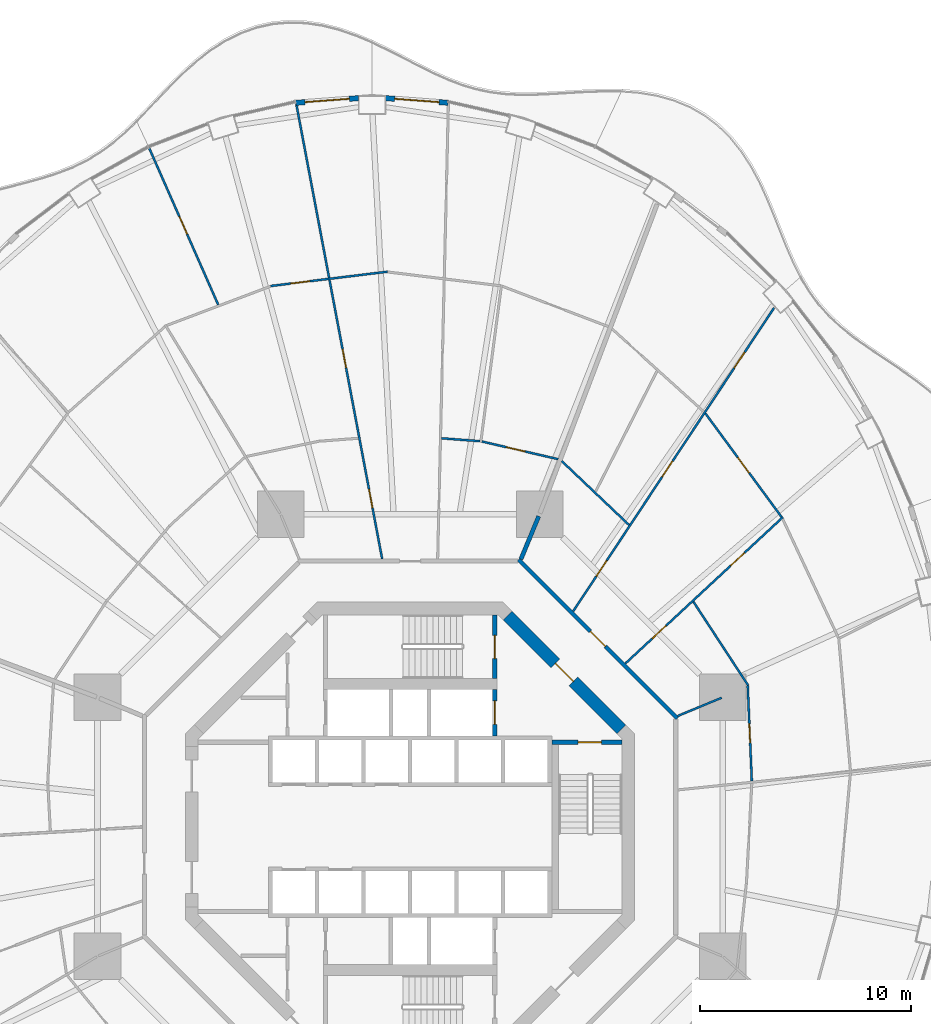
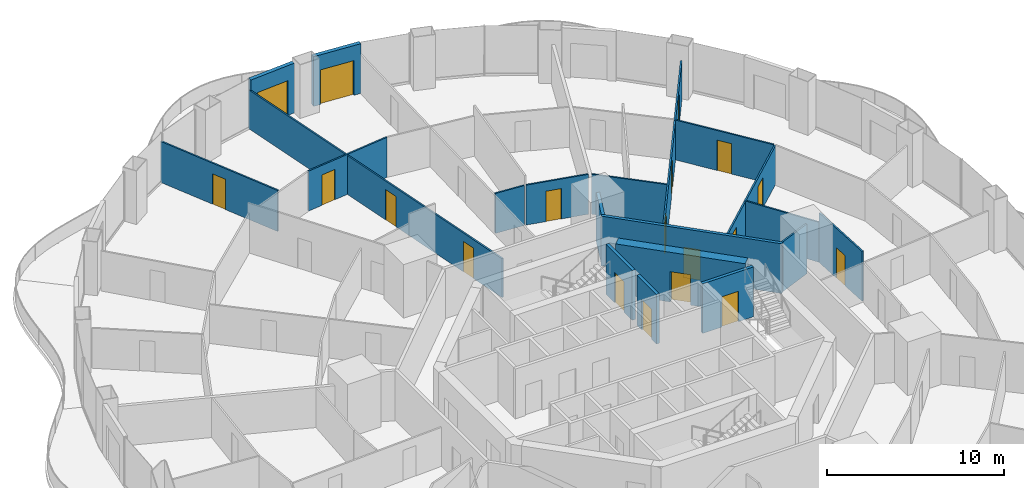
# One storey, part 18 of 22: 20 walls, 19 doors, 19 openings.
"""IFC4 building model written with IfcOpenShell, lengths in metres."""

from ifc_helpers import new_model, si_unit, direction, frame, frame_2d, origin, place, context, subcontext, project, spatial, rectangle, extrude, material, layer, layer_set, type_object, element, fill, save


model = new_model("IFC4")

# Units and contexts
model_context = context("Model", 3, precision=1e-05, world=origin(), true_north=direction((0.0, 1.0)))
body_context = subcontext(model_context, "Body", "Model", "MODEL_VIEW")
ifc_project = project(units=[si_unit("LENGTHUNIT", "METRE"), si_unit("AREAUNIT", "SQUARE_METRE"), si_unit("VOLUMEUNIT", "CUBIC_METRE"), si_unit("PLANEANGLEUNIT", "RADIAN"), si_unit("MASSUNIT", "GRAM", prefix="KILO")], contexts=[model_context])

# Site, building, storey
site_placement = place(None, origin())
site = spatial("IfcSite", under=ifc_project, at=site_placement, CompositionType="ELEMENT")
building_placement = place(site_placement, origin())
building = spatial("IfcBuilding", under=site, at=building_placement, Name="Nagisa Residences", CompositionType="ELEMENT")
storey_placement = place(building_placement, frame((0.0, 0.0, 106.60009765625)))
storey = spatial("IfcBuildingStorey", under=building, at=storey_placement, Name="L26", CompositionType="ELEMENT", Elevation=106.60009765625)

# Wall
ifc_material_1 = material(Name="Gypsum board on steel studs", Category="steel")
ifc_layer_1 = layer(ifc_material_1, 0.199951171875)
ifc_layer_set_1 = layer_set([ifc_layer_1], Name="Apartment compartment wall EI60 200")
wall_type_1 = type_object("IfcWallType", Name="Apartment compartment wall EI60 200", PredefinedType="PARTITIONING", material=ifc_layer_set_1)
wall_1_placement = place(storey_placement, frame((5.24267578125, 12.6572265625, 0.0), z_axis=(0.0, 0.0, 1.0), x_axis=(0.382724096228, 0.923862687939, 0.0)))
element("IfcWall", 1, at=wall_1_placement, inside=storey, type_object=wall_type_1, Name="wall:L26:u00", PredefinedType="PARTITIONING", context=body_context, shape_type="SweptSolid", body=[
    extrude(rectangle(XDim=2.20068359375, YDim=0.199951171875, at=frame_2d((1.100341796875, 0.0))), origin(), (0.0, 0.0, 1.0), 3.43994140625),
])

# Wall, opening, door
ifc_material_2 = material(Name="Gypsum board on steel studs", Category="steel")
ifc_layer_2 = layer(ifc_material_2, 0.199951171875)
ifc_layer_set_2 = layer_set([ifc_layer_2], Name="Apartment entry wall EI60 200")
wall_type_2 = type_object("IfcWallType", Name="Apartment entry wall EI60 200", PredefinedType="PARTITIONING", material=ifc_layer_set_2)
wall_2_placement = place(storey_placement, frame((12.635498046875, 5.1337890625, 0.0), z_axis=(0.0, 0.0, 1.0), x_axis=(-0.707106781187, 0.707106781187, 0.0)))
wall_2 = element("IfcWall", 2, at=wall_2_placement, inside=storey, type_object=wall_type_2, Name="wall:L26:u09", PredefinedType="PARTITIONING", context=body_context, shape_type="SweptSolid", body=[
    extrude(rectangle(XDim=10.609130859375, YDim=0.199951171875, at=frame_2d((5.3046875, 0.0))), origin(), (0.0, 0.0, 1.0), 3.43994140625),
])
opening_1_placement = place(wall_2_placement, frame((4.804443359375, 0.0, 0.0)))
opening_1 = element("IfcOpeningElement", 3, at=opening_1_placement, cuts=wall_2, Name="Opening L26-U08", PredefinedType="OPENING", context=body_context, shape_type="SweptSolid", body=[
    extrude(rectangle(XDim=1.0, YDim=2.10009765625, at=frame_2d((0.5, 1.050048828125))), frame((0.0, 0.10986328125, 0.0), z_axis=(0.0, -1.0, 0.0), x_axis=(1.0, 0.0, 0.0)), (0.0, 0.0, 1.0), 0.219970703125),
])
ifc_material_3 = material(Name="Timber fire door set", Category="wood")
door_type_1 = type_object("IfcDoorType", Name="Apartment entry door FD30S 1000x2100", OperationType="NOTDEFINED", PredefinedType="DOOR", material=ifc_material_3)
door_1_placement = place(opening_1_placement, frame((1.0, 0.0, 0.0), x_axis=(-1.0, 0.0, 0.0)))
door_1 = element("IfcDoor", 4, at=door_1_placement, inside=storey, type_object=door_type_1, Name="Entry door, Apartment 26B", OperationType="SINGLE_SWING_LEFT", OverallHeight=2.10009765625, OverallWidth=1.0, PredefinedType="DOOR", context=body_context, shape_type="SweptSolid", body=[
    extrude(rectangle(XDim=1.0, YDim=2.10009765625, at=frame_2d((0.5, 1.050048828125))), frame((0.0, 0.02490234375, 0.0), z_axis=(0.0, -1.0, 0.0), x_axis=(1.0, 0.0, 0.0)), (0.0, 0.0, 1.0), 0.050048828125),
])
fill(opening_1, door_1)

ifc_material_4 = material(Name="Gypsum board on steel studs", Category="steel")
ifc_layer_3 = layer(ifc_material_4, 0.10009765625)
ifc_layer_set_3 = layer_set([ifc_layer_3], Name="Apartment partition 100")
wall_type_3 = type_object("IfcWallType", Name="Apartment partition 100", PredefinedType="PARTITIONING", material=ifc_layer_set_3)
wall_3_placement = place(storey_placement, frame((16.161865234375, 2.158203125, 0.0), z_axis=(0.0, 0.0, 1.0), x_axis=(-0.043120653248, 0.999069872063, 0.0)))
wall_3 = element("IfcWall", 5, at=wall_3_placement, inside=storey, type_object=wall_type_3, Name="wall:L26:u17", PredefinedType="PARTITIONING", context=body_context, shape_type="SweptSolid", body=[
    extrude(rectangle(XDim=4.51806640625, YDim=0.10009765625, at=frame_2d((2.259033203125, 0.0))), origin(), (0.0, 0.0, 1.0), 3.43994140625),
])
opening_2_placement = place(wall_3_placement, frame((1.80908203125, 0.0, 0.0)))
opening_2 = element("IfcOpeningElement", 6, at=opening_2_placement, cuts=wall_3, Name="Opening L26-U16", PredefinedType="OPENING", context=body_context, shape_type="SweptSolid", body=[
    extrude(rectangle(XDim=0.89990234375, YDim=2.10009765625, at=frame_2d((0.449951171875, 1.050048828125))), frame((0.0, 0.06005859375, 0.0), z_axis=(0.0, -1.0, 0.0), x_axis=(1.0, 0.0, 0.0)), (0.0, 0.0, 1.0), 0.1201171875),
])
ifc_material_5 = material(Name="Timber door set", Category="wood")
door_type_2 = type_object("IfcDoorType", Name="Apartment door 900x2100", OperationType="NOTDEFINED", PredefinedType="DOOR", material=ifc_material_5)
door_2_placement = place(opening_2_placement, origin())
door_2 = element("IfcDoor", 7, at=door_2_placement, inside=storey, type_object=door_type_2, Name="Door to store, Apartment 26B", OperationType="SINGLE_SWING_RIGHT", OverallHeight=2.10009765625, OverallWidth=0.89990234375, PredefinedType="DOOR", context=body_context, shape_type="SweptSolid", body=[
    extrude(rectangle(XDim=0.89990234375, YDim=2.10009765625, at=frame_2d((0.449951171875, 1.050048828125))), frame((0.0, 0.02490234375, 0.0), z_axis=(0.0, -1.0, 0.0), x_axis=(1.0, 0.0, 0.0)), (0.0, 0.0, 1.0), 0.050048828125),
])
fill(opening_2, door_2)

# Walls
wall_4_placement = place(storey_placement, frame((12.6572265625, 5.24267578125, 0.0), z_axis=(0.0, 0.0, 1.0), x_axis=(0.923864733477, 0.382719158442, 0.0)))
element("IfcWall", 8, at=wall_4_placement, inside=storey, type_object=wall_type_3, Name="wall:L26:u21", PredefinedType="PARTITIONING", context=body_context, shape_type="SweptSolid", body=[
    extrude(rectangle(XDim=2.25, YDim=0.10009765625, at=frame_2d((1.125, 0.0))), origin(), (0.0, 0.0, 1.0), 3.43994140625),
])
wall_5_placement = place(storey_placement, frame((15.9921875, 6.68017578125, 0.0), z_axis=(0.0, 0.0, 1.0), x_axis=(-0.547472878942, 0.836823426311, 0.0)))
element("IfcWall", 9, at=wall_5_placement, inside=storey, type_object=wall_type_3, Name="wall:L26:u22", PredefinedType="PARTITIONING", context=body_context, shape_type="SweptSolid", body=[
    extrude(rectangle(XDim=4.73779296875, YDim=0.10009765625, at=frame_2d((2.368896484375, 0.0))), origin(), (0.0, 0.0, 1.0), 2.761962890625),
])

# Wall, openings, doors
wall_6_placement = place(storey_placement, frame((10.1845703125, 7.72607421875, 0.0), z_axis=(0.0, 0.0, 1.0), x_axis=(0.732598472978, 0.680661059112, 0.0)))
wall_6 = element("IfcWall", 10, at=wall_6_placement, inside=storey, type_object=wall_type_3, Name="wall:L26:u25", PredefinedType="PARTITIONING", context=body_context, shape_type="SweptSolid", body=[
    extrude(rectangle(XDim=10.16748046875, YDim=0.10009765625, at=frame_2d((5.083740234375, 0.0))), origin(), (0.0, 0.0, 1.0), 2.68701171875),
])
opening_3_placement = place(wall_6_placement, frame((1.724853515625, 0.0, 0.0)))
opening_3 = element("IfcOpeningElement", 11, at=opening_3_placement, cuts=wall_6, Name="Opening L26-U09", PredefinedType="OPENING", context=body_context, shape_type="SweptSolid", body=[
    extrude(rectangle(XDim=0.89990234375, YDim=2.10009765625, at=frame_2d((0.449951171875, 1.050048828125))), frame((0.0, 0.06005859375, 0.0), z_axis=(0.0, -1.0, 0.0), x_axis=(1.0, 0.0, 0.0)), (0.0, 0.0, 1.0), 0.1201171875),
])
opening_4_placement = place(wall_6_placement, frame((6.78369140625, 0.0, 0.0)))
opening_4 = element("IfcOpeningElement", 12, at=opening_4_placement, cuts=wall_6, Name="Opening L26-U11", PredefinedType="OPENING", context=body_context, shape_type="SweptSolid", body=[
    extrude(rectangle(XDim=0.89990234375, YDim=2.10009765625, at=frame_2d((0.449951171875, 1.050048828125))), frame((0.0, 0.06005859375, 0.0), z_axis=(0.0, -1.0, 0.0), x_axis=(1.0, 0.0, 0.0)), (0.0, 0.0, 1.0), 0.1201171875),
])
door_3_placement = place(opening_3_placement, frame((0.89990234375, 0.0, 0.0), x_axis=(-1.0, 0.0, 0.0)))
door_3 = element("IfcDoor", 13, at=door_3_placement, inside=storey, type_object=door_type_2, Name="Door to store, Apartment 26B", OperationType="SINGLE_SWING_RIGHT", OverallHeight=2.10009765625, OverallWidth=0.89990234375, PredefinedType="DOOR", context=body_context, shape_type="SweptSolid", body=[
    extrude(rectangle(XDim=0.89990234375, YDim=2.10009765625, at=frame_2d((0.449951171875, 1.050048828125))), frame((0.0, 0.02490234375, 0.0), z_axis=(0.0, -1.0, 0.0), x_axis=(1.0, 0.0, 0.0)), (0.0, 0.0, 1.0), 0.050048828125),
])
fill(opening_3, door_3)
door_4_placement = place(opening_4_placement, frame((0.89990234375, 0.0, 0.0), x_axis=(-1.0, 0.0, 0.0)))
door_4 = element("IfcDoor", 14, at=door_4_placement, inside=storey, type_object=door_type_2, Name="Door to dining room, Apartment 26B", OperationType="SINGLE_SWING_RIGHT", OverallHeight=2.10009765625, OverallWidth=0.89990234375, PredefinedType="DOOR", context=body_context, shape_type="SweptSolid", body=[
    extrude(rectangle(XDim=0.89990234375, YDim=2.10009765625, at=frame_2d((0.449951171875, 1.050048828125))), frame((0.0, 0.02490234375, 0.0), z_axis=(0.0, -1.0, 0.0), x_axis=(1.0, 0.0, 0.0)), (0.0, 0.0, 1.0), 0.050048828125),
])
fill(opening_4, door_4)

# Wall, opening, door
wall_7_placement = place(storey_placement, frame((17.567138671875, 14.65283203125, 0.0), z_axis=(0.0, 0.0, 1.0), x_axis=(-0.592391983588, 0.80564988536, 0.0)))
wall_7 = element("IfcWall", 15, at=wall_7_placement, inside=storey, type_object=wall_type_3, Name="wall:L26:u26", PredefinedType="PARTITIONING", context=body_context, shape_type="SweptSolid", body=[
    extrude(rectangle(XDim=6.080078125, YDim=0.10009765625, at=frame_2d((3.0400390625, 0.0))), origin(), (0.0, 0.0, 1.0), 2.761962890625),
])
opening_5_placement = place(wall_7_placement, frame((2.590087890625, 0.0, 0.0)))
opening_5 = element("IfcOpeningElement", 16, at=opening_5_placement, cuts=wall_7, Name="Opening L26-U14", PredefinedType="OPENING", context=body_context, shape_type="SweptSolid", body=[
    extrude(rectangle(XDim=0.89990234375, YDim=2.10009765625, at=frame_2d((0.449951171875, 1.050048828125))), frame((0.0, 0.06005859375, 0.0), z_axis=(0.0, -1.0, 0.0), x_axis=(1.0, 0.0, 0.0)), (0.0, 0.0, 1.0), 0.1201171875),
])
door_5_placement = place(opening_5_placement, frame((0.89990234375, 0.0, 0.0), x_axis=(-1.0, 0.0, 0.0)))
door_5 = element("IfcDoor", 17, at=door_5_placement, inside=storey, type_object=door_type_2, Name="Door to living room, Apartment 26B", OperationType="SINGLE_SWING_LEFT", OverallHeight=2.10009765625, OverallWidth=0.89990234375, PredefinedType="DOOR", context=body_context, shape_type="SweptSolid", body=[
    extrude(rectangle(XDim=0.89990234375, YDim=2.10009765625, at=frame_2d((0.449951171875, 1.050048828125))), frame((0.0, 0.02490234375, 0.0), z_axis=(0.0, -1.0, 0.0), x_axis=(1.0, 0.0, 0.0)), (0.0, 0.0, 1.0), 0.050048828125),
])
fill(opening_5, door_5)

# Wall, openings, doors
wall_8_placement = place(storey_placement, frame((7.713134765625, 10.19482421875, 0.0), z_axis=(0.0, 0.0, 1.0), x_axis=(0.552111071171, 0.833770571015, 0.0)))
wall_8 = element("IfcWall", 18, at=wall_8_placement, inside=storey, type_object=wall_type_3, Name="wall:L26:u27", PredefinedType="PARTITIONING", context=body_context, shape_type="SweptSolid", body=[
    extrude(rectangle(XDim=17.20849609375, YDim=0.10009765625, at=frame_2d((8.604248046875, 0.0))), origin(), (0.0, 0.0, 1.0), 2.68701171875),
])
opening_6_placement = place(wall_8_placement, frame((1.975830078125, 0.0, 0.0)))
opening_6 = element("IfcOpeningElement", 19, at=opening_6_placement, cuts=wall_8, Name="Opening L26-U10", PredefinedType="OPENING", context=body_context, shape_type="SweptSolid", body=[
    extrude(rectangle(XDim=0.89990234375, YDim=2.10009765625, at=frame_2d((0.449951171875, 1.050048828125))), frame((0.0, 0.06005859375, 0.0), z_axis=(0.0, -1.0, 0.0), x_axis=(1.0, 0.0, 0.0)), (0.0, 0.0, 1.0), 0.1201171875),
])
opening_7_placement = place(wall_8_placement, frame((7.611083984375, 0.0, 0.0)))
opening_7 = element("IfcOpeningElement", 20, at=opening_7_placement, cuts=wall_8, Name="Opening L26-U12", PredefinedType="OPENING", context=body_context, shape_type="SweptSolid", body=[
    extrude(rectangle(XDim=0.89990234375, YDim=2.10009765625, at=frame_2d((0.449951171875, 1.050048828125))), frame((0.0, 0.06005859375, 0.0), z_axis=(0.0, -1.0, 0.0), x_axis=(1.0, 0.0, 0.0)), (0.0, 0.0, 1.0), 0.1201171875),
])
opening_8_placement = place(wall_8_placement, frame((13.78955078125, 0.0, 0.0)))
opening_8 = element("IfcOpeningElement", 21, at=opening_8_placement, cuts=wall_8, Name="Opening L26-U15", PredefinedType="OPENING", context=body_context, shape_type="SweptSolid", body=[
    extrude(rectangle(XDim=0.89990234375, YDim=2.10009765625, at=frame_2d((0.449951171875, 1.050048828125))), frame((0.0, 0.06005859375, 0.0), z_axis=(0.0, -1.0, 0.0), x_axis=(1.0, 0.0, 0.0)), (0.0, 0.0, 1.0), 0.1201171875),
])
door_6_placement = place(opening_6_placement, origin())
door_6 = element("IfcDoor", 22, at=door_6_placement, inside=storey, type_object=door_type_2, Name="Door to store, Apartment 26B", OperationType="SINGLE_SWING_RIGHT", OverallHeight=2.10009765625, OverallWidth=0.89990234375, PredefinedType="DOOR", context=body_context, shape_type="SweptSolid", body=[
    extrude(rectangle(XDim=0.89990234375, YDim=2.10009765625, at=frame_2d((0.449951171875, 1.050048828125))), frame((0.0, 0.02490234375, 0.0), z_axis=(0.0, -1.0, 0.0), x_axis=(1.0, 0.0, 0.0)), (0.0, 0.0, 1.0), 0.050048828125),
])
fill(opening_6, door_6)
door_7_placement = place(opening_7_placement, origin())
door_7 = element("IfcDoor", 23, at=door_7_placement, inside=storey, type_object=door_type_2, Name="Door to family bathroom, Apartment 26B", OperationType="SINGLE_SWING_RIGHT", OverallHeight=2.10009765625, OverallWidth=0.89990234375, PredefinedType="DOOR", context=body_context, shape_type="SweptSolid", body=[
    extrude(rectangle(XDim=0.89990234375, YDim=2.10009765625, at=frame_2d((0.449951171875, 1.050048828125))), frame((0.0, 0.02490234375, 0.0), z_axis=(0.0, -1.0, 0.0), x_axis=(1.0, 0.0, 0.0)), (0.0, 0.0, 1.0), 0.050048828125),
])
fill(opening_7, door_7)
door_8_placement = place(opening_8_placement, origin())
door_8 = element("IfcDoor", 24, at=door_8_placement, inside=storey, type_object=door_type_2, Name="Door to master bedroom, Apartment 26B", OperationType="SINGLE_SWING_LEFT", OverallHeight=2.10009765625, OverallWidth=0.89990234375, PredefinedType="DOOR", context=body_context, shape_type="SweptSolid", body=[
    extrude(rectangle(XDim=0.89990234375, YDim=2.10009765625, at=frame_2d((0.449951171875, 1.050048828125))), frame((0.0, 0.02490234375, 0.0), z_axis=(0.0, -1.0, 0.0), x_axis=(1.0, 0.0, 0.0)), (0.0, 0.0, 1.0), 0.050048828125),
])
fill(opening_8, door_8)

# Wall
wall_9_placement = place(storey_placement, frame((10.35546875, 14.274169921875, 0.0), z_axis=(0.0, 0.0, 1.0), x_axis=(-0.725206433622, 0.688531501555, 0.0)))
element("IfcWall", 25, at=wall_9_placement, inside=storey, type_object=wall_type_3, Name="wall:L26:u28", PredefinedType="PARTITIONING", context=body_context, shape_type="SweptSolid", body=[
    extrude(rectangle(XDim=4.386962890625, YDim=0.10009765625, at=frame_2d((2.193359375, 0.0))), origin(), (0.0, 0.0, 1.0), 2.761962890625),
])

# Wall, opening, door
wall_10_placement = place(storey_placement, frame((7.004150390625, 17.385986328125, 0.0), z_axis=(0.0, 0.0, 1.0), x_axis=(-0.974172890163, 0.22580341023, 0.0)))
wall_10 = element("IfcWall", 26, at=wall_10_placement, inside=storey, type_object=wall_type_3, Name="wall:L26:u31", PredefinedType="PARTITIONING", context=body_context, shape_type="SweptSolid", body=[
    extrude(rectangle(XDim=3.7021484375, YDim=0.10009765625, at=frame_2d((1.85107421875, 0.0))), origin(), (0.0, 0.0, 1.0), 2.761962890625),
])
opening_9_placement = place(wall_10_placement, frame((1.611083984375, 0.0, 0.0)))
opening_9 = element("IfcOpeningElement", 27, at=opening_9_placement, cuts=wall_10, Name="Opening L26-U30", PredefinedType="OPENING", context=body_context, shape_type="SweptSolid", body=[
    extrude(rectangle(XDim=0.89990234375, YDim=2.10009765625, at=frame_2d((0.449951171875, 1.050048828125))), frame((0.0, 0.06005859375, 0.0), z_axis=(0.0, -1.0, 0.0), x_axis=(1.0, 0.0, 0.0)), (0.0, 0.0, 1.0), 0.1201171875),
])
door_9_placement = place(opening_9_placement, frame((0.89990234375, 0.0, 0.0), x_axis=(-1.0, 0.0, 0.0)))
door_9 = element("IfcDoor", 28, at=door_9_placement, inside=storey, type_object=door_type_2, Name="Door to kitchen, Apartment 26C", OperationType="SINGLE_SWING_LEFT", OverallHeight=2.10009765625, OverallWidth=0.89990234375, PredefinedType="DOOR", context=body_context, shape_type="SweptSolid", body=[
    extrude(rectangle(XDim=0.89990234375, YDim=2.10009765625, at=frame_2d((0.449951171875, 1.050048828125))), frame((0.0, 0.02490234375, 0.0), z_axis=(0.0, -1.0, 0.0), x_axis=(1.0, 0.0, 0.0)), (0.0, 0.0, 1.0), 0.050048828125),
])
fill(opening_9, door_9)

# Wall
wall_11_placement = place(storey_placement, frame((3.299072265625, 18.23681640625, 0.0), z_axis=(0.0, 0.0, 1.0), x_axis=(-0.997152920483, 0.075405922664, 0.0)))
element("IfcWall", 29, at=wall_11_placement, inside=storey, type_object=wall_type_3, Name="wall:L26:u34", PredefinedType="PARTITIONING", context=body_context, shape_type="SweptSolid", body=[
    extrude(rectangle(XDim=1.82275390625, YDim=0.10009765625, at=frame_2d((0.911376953125, 0.0))), origin(), (0.0, 0.0, 1.0), 2.761962890625),
])

# Wall, opening, door
wall_12_placement = place(storey_placement, frame((-1.06640625, 26.2529296875, 0.0), z_axis=(0.0, 0.0, 1.0), x_axis=(-0.992574197255, -0.121640712523, 0.0)))
wall_12 = element("IfcWall", 30, at=wall_12_placement, inside=storey, type_object=wall_type_3, Name="wall:L26:u37", PredefinedType="PARTITIONING", context=body_context, shape_type="SweptSolid", body=[
    extrude(rectangle(XDim=5.57373046875, YDim=0.10009765625, at=frame_2d((2.786865234375, 0.0))), origin(), (0.0, 0.0, 1.0), 2.761962890625),
])
opening_10_placement = place(wall_12_placement, frame((3.705078125, 0.0, 0.0)))
opening_10 = element("IfcOpeningElement", 31, at=opening_10_placement, cuts=wall_12, Name="Opening L26-U37", PredefinedType="OPENING", context=body_context, shape_type="SweptSolid", body=[
    extrude(rectangle(XDim=0.89990234375, YDim=2.10009765625, at=frame_2d((0.449951171875, 1.050048828125))), frame((0.0, 0.06005859375, 0.0), z_axis=(0.0, -1.0, 0.0), x_axis=(1.0, 0.0, 0.0)), (0.0, 0.0, 1.0), 0.1201171875),
])
door_10_placement = place(opening_10_placement, frame((0.89990234375, 0.0, 0.0), x_axis=(-1.0, 0.0, 0.0)))
door_10 = element("IfcDoor", 32, at=door_10_placement, inside=storey, type_object=door_type_2, Name="Door to dining room, Apartment 26C", OperationType="SINGLE_SWING_RIGHT", OverallHeight=2.10009765625, OverallWidth=0.89990234375, PredefinedType="DOOR", context=body_context, shape_type="SweptSolid", body=[
    extrude(rectangle(XDim=0.89990234375, YDim=2.10009765625, at=frame_2d((0.449951171875, 1.050048828125))), frame((0.0, 0.02490234375, 0.0), z_axis=(0.0, -1.0, 0.0), x_axis=(1.0, 0.0, 0.0)), (0.0, 0.0, 1.0), 0.050048828125),
])
fill(opening_10, door_10)

# Wall, openings, doors
wall_13_placement = place(storey_placement, frame((-1.319580078125, 12.6630859375, 0.0), z_axis=(0.0, 0.0, 1.0), x_axis=(-0.185450638662, 0.982653581187, 0.0)))
wall_13 = element("IfcWall", 33, at=wall_13_placement, inside=storey, type_object=wall_type_3, Name="wall:L26:u38", PredefinedType="PARTITIONING", context=body_context, shape_type="SweptSolid", body=[
    extrude(rectangle(XDim=22.04296875, YDim=0.10009765625, at=frame_2d((11.021484375, 0.0))), origin(), (0.0, 0.0, 1.0), 2.68701171875),
])
opening_11_placement = place(wall_13_placement, frame((2.45849609375, 0.0, 0.0)))
opening_11 = element("IfcOpeningElement", 34, at=opening_11_placement, cuts=wall_13, Name="Opening L26-U27", PredefinedType="OPENING", context=body_context, shape_type="SweptSolid", body=[
    extrude(rectangle(XDim=0.89990234375, YDim=2.10009765625, at=frame_2d((0.449951171875, 1.050048828125))), frame((0.0, 0.06005859375, 0.0), z_axis=(0.0, -1.0, 0.0), x_axis=(1.0, 0.0, 0.0)), (0.0, 0.0, 1.0), 0.1201171875),
])
opening_12_placement = place(wall_13_placement, frame((9.201904296875, 0.0, 0.0)))
opening_12 = element("IfcOpeningElement", 35, at=opening_12_placement, cuts=wall_13, Name="Opening L26-U32", PredefinedType="OPENING", context=body_context, shape_type="SweptSolid", body=[
    extrude(rectangle(XDim=0.89990234375, YDim=2.10009765625, at=frame_2d((0.449951171875, 1.050048828125))), frame((0.0, 0.06005859375, 0.0), z_axis=(0.0, -1.0, 0.0), x_axis=(1.0, 0.0, 0.0)), (0.0, 0.0, 1.0), 0.1201171875),
])
door_11_placement = place(opening_11_placement, origin())
door_11 = element("IfcDoor", 36, at=door_11_placement, inside=storey, type_object=door_type_2, Name="Door to laundry, Apartment 26C", OperationType="SINGLE_SWING_LEFT", OverallHeight=2.10009765625, OverallWidth=0.89990234375, PredefinedType="DOOR", context=body_context, shape_type="SweptSolid", body=[
    extrude(rectangle(XDim=0.89990234375, YDim=2.10009765625, at=frame_2d((0.449951171875, 1.050048828125))), frame((0.0, 0.02490234375, 0.0), z_axis=(0.0, -1.0, 0.0), x_axis=(1.0, 0.0, 0.0)), (0.0, 0.0, 1.0), 0.050048828125),
])
fill(opening_11, door_11)
door_12_placement = place(opening_12_placement, origin())
door_12 = element("IfcDoor", 37, at=door_12_placement, inside=storey, type_object=door_type_2, Name="Door to dining room, Apartment 26C", OperationType="SINGLE_SWING_RIGHT", OverallHeight=2.10009765625, OverallWidth=0.89990234375, PredefinedType="DOOR", context=body_context, shape_type="SweptSolid", body=[
    extrude(rectangle(XDim=0.89990234375, YDim=2.10009765625, at=frame_2d((0.449951171875, 1.050048828125))), frame((0.0, 0.02490234375, 0.0), z_axis=(0.0, -1.0, 0.0), x_axis=(1.0, 0.0, 0.0)), (0.0, 0.0, 1.0), 0.050048828125),
])
fill(opening_12, door_12)

# Wall, opening, door
wall_14_placement = place(storey_placement, frame((-9.071533203125, 24.682861328125, 0.0), z_axis=(0.0, 0.0, 1.0), x_axis=(-0.403192911159, 0.915115007194, 0.0)))
wall_14 = element("IfcWall", 38, at=wall_14_placement, inside=storey, type_object=wall_type_3, Name="wall:L26:u42", PredefinedType="PARTITIONING", context=body_context, shape_type="SweptSolid", body=[
    extrude(rectangle(XDim=8.21142578125, YDim=0.10009765625, at=frame_2d((4.105712890625, 0.0))), origin(), (0.0, 0.0, 1.0), 2.8369140625),
])
opening_13_placement = place(wall_14_placement, frame((3.65576171875, 0.0, 0.0)))
opening_13 = element("IfcOpeningElement", 39, at=opening_13_placement, cuts=wall_14, Name="Opening L26-U38", PredefinedType="OPENING", context=body_context, shape_type="SweptSolid", body=[
    extrude(rectangle(XDim=0.89990234375, YDim=2.10009765625, at=frame_2d((0.449951171875, 1.050048828125))), frame((0.0, 0.06005859375, 0.0), z_axis=(0.0, -1.0, 0.0), x_axis=(1.0, 0.0, 0.0)), (0.0, 0.0, 1.0), 0.1201171875),
])
door_13_placement = place(opening_13_placement, origin())
door_13 = element("IfcDoor", 40, at=door_13_placement, inside=storey, type_object=door_type_2, Name="Door to living room, Apartment 26C", OperationType="SINGLE_SWING_RIGHT", OverallHeight=2.10009765625, OverallWidth=0.89990234375, PredefinedType="DOOR", context=body_context, shape_type="SweptSolid", body=[
    extrude(rectangle(XDim=0.89990234375, YDim=2.10009765625, at=frame_2d((0.449951171875, 1.050048828125))), frame((0.0, 0.02490234375, 0.0), z_axis=(0.0, -1.0, 0.0), x_axis=(1.0, 0.0, 0.0)), (0.0, 0.0, 1.0), 0.050048828125),
])
fill(opening_13, door_13)

ifc_material_6 = material(Name="Precast concrete C40/50", Category="concrete")
ifc_layer_4 = layer(ifc_material_6, 0.25)
ifc_layer_set_4 = layer_set([ifc_layer_4], Name="BALCONY DOOR WALL 250")
wall_type_4 = type_object("IfcWallType", Name="BALCONY DOOR WALL 250", PredefinedType="SOLIDWALL", material=ifc_layer_set_4)
wall_15_placement = place(storey_placement, frame((-1.1611328125, 34.459716796875, 0.0), z_axis=(0.0, 0.0, 1.0), x_axis=(0.997232262224, -0.074349278273, 0.0)))
wall_15 = element("IfcWall", 41, at=wall_15_placement, inside=storey, type_object=wall_type_4, Name="wall:L26:bay11", PredefinedType="SOLIDWALL", context=body_context, shape_type="SweptSolid", body=[
    extrude(rectangle(XDim=2.97509765625, YDim=0.25, at=frame_2d((1.487548828125, 0.0))), origin(), (0.0, 0.0, 1.0), 3.43994140625),
])
opening_14_placement = place(wall_15_placement, frame((0.4375, 0.0, 0.0)))
opening_14 = element("IfcOpeningElement", 42, at=opening_14_placement, cuts=wall_15, Name="Opening BD-L26-04", PredefinedType="OPENING", context=body_context, shape_type="SweptSolid", body=[
    extrude(rectangle(XDim=2.10009765625, YDim=2.39990234375, at=frame_2d((1.050048828125, 1.199951171875))), frame((0.0, 0.135009765625, 0.0), z_axis=(0.0, -1.0, 0.0), x_axis=(1.0, 0.0, 0.0)), (0.0, 0.0, 1.0), 0.27001953125),
])
ifc_material_7 = material(Name="Aluminium and clear glass", Category="aluminium")
door_type_3 = type_object("IfcDoorType", Name="BALCONY SLIDING DOOR 2100x2400", OperationType="SLIDING_TO_LEFT", PredefinedType="DOOR", material=ifc_material_7)
door_14_placement = place(opening_14_placement, origin())
door_14 = element("IfcDoor", 43, at=door_14_placement, inside=storey, type_object=door_type_3, Name="door:L26:bay11", OperationType="SLIDING_TO_LEFT", OverallHeight=2.39990234375, OverallWidth=2.10009765625, PredefinedType="DOOR", context=body_context, shape_type="SweptSolid", body=[
    extrude(rectangle(XDim=2.10009765625, YDim=2.39990234375, at=frame_2d((1.050048828125, 1.199951171875))), frame((0.0, 0.02490234375, 0.0), z_axis=(0.0, -1.0, 0.0), x_axis=(1.0, 0.0, 0.0)), (0.0, 0.0, 1.0), 0.050048828125),
])
fill(opening_14, door_14)

wall_16_placement = place(storey_placement, frame((-5.405517578125, 34.238525390625, 0.0), z_axis=(0.0, 0.0, 1.0), x_axis=(0.997231808538, 0.074355363224, 0.0)))
wall_16 = element("IfcWall", 44, at=wall_16_placement, inside=storey, type_object=wall_type_4, Name="wall:L26:bay12", PredefinedType="SOLIDWALL", context=body_context, shape_type="SweptSolid", body=[
    extrude(rectangle(XDim=2.974853515625, YDim=0.25, at=frame_2d((1.4873046875, 0.0))), origin(), (0.0, 0.0, 1.0), 3.43994140625),
])
opening_15_placement = place(wall_16_placement, frame((0.4375, 0.0, 0.0)))
opening_15 = element("IfcOpeningElement", 45, at=opening_15_placement, cuts=wall_16, Name="Opening BD-L26-05", PredefinedType="OPENING", context=body_context, shape_type="SweptSolid", body=[
    extrude(rectangle(XDim=2.10009765625, YDim=2.39990234375, at=frame_2d((1.050048828125, 1.199951171875))), frame((0.0, 0.135009765625, 0.0), z_axis=(0.0, -1.0, 0.0), x_axis=(1.0, 0.0, 0.0)), (0.0, 0.0, 1.0), 0.27001953125),
])
door_15_placement = place(opening_15_placement, origin())
door_15 = element("IfcDoor", 46, at=door_15_placement, inside=storey, type_object=door_type_3, Name="door:L26:bay12", OperationType="SLIDING_TO_LEFT", OverallHeight=2.39990234375, OverallWidth=2.10009765625, PredefinedType="DOOR", context=body_context, shape_type="SweptSolid", body=[
    extrude(rectangle(XDim=2.10009765625, YDim=2.39990234375, at=frame_2d((1.050048828125, 1.199951171875))), frame((0.0, 0.02490234375, 0.0), z_axis=(0.0, -1.0, 0.0), x_axis=(1.0, 0.0, 0.0)), (0.0, 0.0, 1.0), 0.050048828125),
])
fill(opening_15, door_15)

ifc_material_8 = material(Name="Concrete C60", Category="concrete")
ifc_layer_5 = layer(ifc_material_8, 0.60009765625)
ifc_layer_set_5 = layer_set([ifc_layer_5], Name="Core shear wall 600")
wall_type_5 = type_object("IfcWallType", Name="Core shear wall 600", PredefinedType="SHEAR", material=ifc_layer_set_5)
wall_17_placement = place(storey_placement, frame((9.98828125, 4.613037109375, 0.0), z_axis=(0.0, 0.0, 1.0), x_axis=(-0.707106781187, 0.707106781187, 0.0)))
wall_17 = element("IfcWall", 47, at=wall_17_placement, inside=storey, type_object=wall_type_5, Name="wall:L26:core:flat1", PredefinedType="SHEAR", context=body_context, shape_type="SweptSolid", body=[
    extrude(rectangle(XDim=7.601806640625, YDim=0.60009765625, at=frame_2d((3.80078125, 0.0))), origin(), (0.0, 0.0, 1.0), 3.43994140625),
])
opening_16_placement = place(wall_17_placement, frame((3.200927734375, 0.0, 0.0)))
opening_16 = element("IfcOpeningElement", 48, at=opening_16_placement, cuts=wall_17, Name="Opening L26-C17", PredefinedType="OPENING", context=body_context, shape_type="SweptSolid", body=[
    extrude(rectangle(XDim=1.199951171875, YDim=2.10009765625, at=frame_2d((0.60009765625, 1.050048828125))), frame((0.0, 0.31005859375, 0.0), z_axis=(0.0, -1.0, 0.0), x_axis=(1.0, 0.0, 0.0)), (0.0, 0.0, 1.0), 0.6201171875),
])
ifc_material_9 = material(Name="Steel fire door", Category="steel")
door_type_4 = type_object("IfcDoorType", Name="Fire door EI60 1200x2100 single swing", OperationType="NOTDEFINED", PredefinedType="DOOR", material=ifc_material_9)
door_16_placement = place(opening_16_placement, origin())
door_16 = element("IfcDoor", 49, at=door_16_placement, inside=storey, type_object=door_type_4, Name="Firefighting lobby 1 door L26", OperationType="SINGLE_SWING_RIGHT", OverallHeight=2.10009765625, OverallWidth=1.199951171875, PredefinedType="DOOR", context=body_context, shape_type="SweptSolid", body=[
    extrude(rectangle(XDim=1.199951171875, YDim=2.10009765625, at=frame_2d((0.60009765625, 1.050048828125))), frame((0.0, 0.02490234375, 0.0), z_axis=(0.0, -1.0, 0.0), x_axis=(1.0, 0.0, 0.0)), (0.0, 0.0, 1.0), 0.050048828125),
])
fill(opening_16, door_16)

ifc_material_10 = material(Name="Concrete C60", Category="concrete")
ifc_layer_6 = layer(ifc_material_10, 0.199951171875)
ifc_layer_set_6 = layer_set([ifc_layer_6], Name="Lift shaft wall 200")
wall_type_6 = type_object("IfcWallType", Name="Lift shaft wall 200", PredefinedType="SOLIDWALL", material=ifc_layer_set_6)
wall_18_placement = place(storey_placement, frame((4.0, 4.300048828125, 0.0), z_axis=(0.0, 0.0, 1.0), x_axis=(0.0, 1.0, 0.0)))
wall_18 = element("IfcWall", 50, at=wall_18_placement, inside=storey, type_object=wall_type_6, Name="wall:L26:Nb3", PredefinedType="SOLIDWALL", context=body_context, shape_type="SweptSolid", body=[
    extrude(rectangle(XDim=2.199951171875, YDim=0.199951171875, at=frame_2d((1.10009765625, 0.0))), origin(), (0.0, 0.0, 1.0), 3.43994140625),
])
opening_17_placement = place(wall_18_placement, frame((0.550048828125, 0.0, 0.0)))
opening_17 = element("IfcOpeningElement", 51, at=opening_17_placement, cuts=wall_18, Name="Opening L26-C06", PredefinedType="OPENING", context=body_context, shape_type="SweptSolid", body=[
    extrude(rectangle(XDim=1.10009765625, YDim=2.10009765625, at=frame_2d((0.550048828125, 1.050048828125))), frame((0.0, 0.10986328125, 0.0), z_axis=(0.0, -1.0, 0.0), x_axis=(1.0, 0.0, 0.0)), (0.0, 0.0, 1.0), 0.219970703125),
])
ifc_material_11 = material(Name="Stainless steel", Category="steel")
door_type_5 = type_object("IfcDoorType", Name="Lift landing door 1100x2100", OperationType="DOUBLE_DOOR_SLIDING", PredefinedType="DOOR", material=ifc_material_11)
door_17_placement = place(opening_17_placement, origin())
door_17 = element("IfcDoor", 52, at=door_17_placement, inside=storey, type_object=door_type_5, Name="Landing door FL1 L26", OperationType="DOUBLE_DOOR_SLIDING", OverallHeight=2.10009765625, OverallWidth=1.10009765625, PredefinedType="DOOR", context=body_context, shape_type="SweptSolid", body=[
    extrude(rectangle(XDim=1.10009765625, YDim=2.10009765625, at=frame_2d((0.550048828125, 1.050048828125))), frame((0.0, 0.02490234375, 0.0), z_axis=(0.0, -1.0, 0.0), x_axis=(1.0, 0.0, 0.0)), (0.0, 0.0, 1.0), 0.050048828125),
])
fill(opening_17, door_17)

ifc_material_12 = material(Name="Concrete C60", Category="concrete")
ifc_layer_7 = layer(ifc_material_12, 0.199951171875)
ifc_layer_set_7 = layer_set([ifc_layer_7], Name="Stair enclosure wall 200")
wall_type_7 = type_object("IfcWallType", Name="Stair enclosure wall 200", PredefinedType="SOLIDWALL", material=ifc_layer_set_7)
wall_19_placement = place(storey_placement, frame((6.699951171875, 4.0, 0.0), z_axis=(0.0, 0.0, 1.0), x_axis=(1.0, 0.0, 0.0)))
wall_19 = element("IfcWall", 53, at=wall_19_placement, inside=storey, type_object=wall_type_7, Name="wall:L26:SE_n", PredefinedType="SOLIDWALL", context=body_context, shape_type="SweptSolid", body=[
    extrude(rectangle(XDim=3.32470703125, YDim=0.199951171875, at=frame_2d((1.662353515625, 0.0))), origin(), (0.0, 0.0, 1.0), 3.43994140625),
])
opening_18_placement = place(wall_19_placement, frame((1.25, 0.0, 0.0)))
opening_18 = element("IfcOpeningElement", 54, at=opening_18_placement, cuts=wall_19, Name="Opening L26-C09", PredefinedType="OPENING", context=body_context, shape_type="SweptSolid", body=[
    extrude(rectangle(XDim=1.10009765625, YDim=2.10009765625, at=frame_2d((0.550048828125, 1.050048828125))), frame((0.0, 0.10986328125, 0.0), z_axis=(0.0, -1.0, 0.0), x_axis=(1.0, 0.0, 0.0)), (0.0, 0.0, 1.0), 0.219970703125),
])
ifc_material_13 = material(Name="Steel fire door", Category="steel")
door_type_6 = type_object("IfcDoorType", Name="Fire door EI90 1100x2100 single swing", OperationType="NOTDEFINED", PredefinedType="DOOR", material=ifc_material_13)
door_18_placement = place(opening_18_placement, frame((1.10009765625, 0.0, 0.0), x_axis=(-1.0, 0.0, 0.0)))
door_18 = element("IfcDoor", 55, at=door_18_placement, inside=storey, type_object=door_type_6, Name="Stair door ST-E L26", OperationType="SINGLE_SWING_RIGHT", OverallHeight=2.10009765625, OverallWidth=1.10009765625, PredefinedType="DOOR", context=body_context, shape_type="SweptSolid", body=[
    extrude(rectangle(XDim=1.10009765625, YDim=2.10009765625, at=frame_2d((0.550048828125, 1.050048828125))), frame((0.0, 0.02490234375, 0.0), z_axis=(0.0, -1.0, 0.0), x_axis=(1.0, 0.0, 0.0)), (0.0, 0.0, 1.0), 0.050048828125),
])
fill(opening_18, door_18)

wall_20_placement = place(storey_placement, frame((4.0, 7.024658203125, 0.0), z_axis=(0.0, 0.0, 1.0), x_axis=(0.0, 1.0, 0.0)))
wall_20 = element("IfcWall", 56, at=wall_20_placement, inside=storey, type_object=wall_type_7, Name="wall:L26:SN_e", PredefinedType="SOLIDWALL", context=body_context, shape_type="SweptSolid", body=[
    extrude(rectangle(XDim=3.0, YDim=0.199951171875, at=frame_2d((1.5, 0.0))), origin(), (0.0, 0.0, 1.0), 3.43994140625),
])
opening_19_placement = place(wall_20_placement, frame((0.92529296875, 0.0, 0.0)))
opening_19 = element("IfcOpeningElement", 57, at=opening_19_placement, cuts=wall_20, Name="Opening L26-C10", PredefinedType="OPENING", context=body_context, shape_type="SweptSolid", body=[
    extrude(rectangle(XDim=1.10009765625, YDim=2.10009765625, at=frame_2d((0.550048828125, 1.050048828125))), frame((0.0, 0.10986328125, 0.0), z_axis=(0.0, -1.0, 0.0), x_axis=(1.0, 0.0, 0.0)), (0.0, 0.0, 1.0), 0.219970703125),
])
door_19_placement = place(opening_19_placement, origin())
door_19 = element("IfcDoor", 58, at=door_19_placement, inside=storey, type_object=door_type_6, Name="Stair door ST-N L26", OperationType="SINGLE_SWING_LEFT", OverallHeight=2.10009765625, OverallWidth=1.10009765625, PredefinedType="DOOR", context=body_context, shape_type="SweptSolid", body=[
    extrude(rectangle(XDim=1.10009765625, YDim=2.10009765625, at=frame_2d((0.550048828125, 1.050048828125))), frame((0.0, 0.02490234375, 0.0), z_axis=(0.0, -1.0, 0.0), x_axis=(1.0, 0.0, 0.0)), (0.0, 0.0, 1.0), 0.050048828125),
])
fill(opening_19, door_19)

save(model, "model.ifc")
